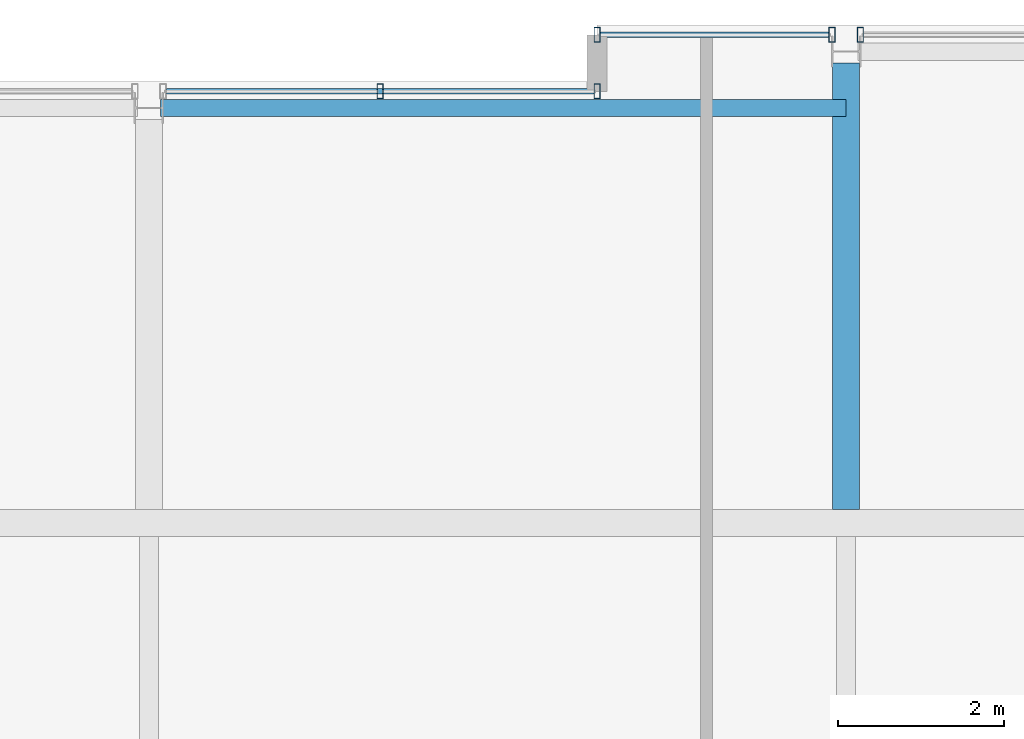
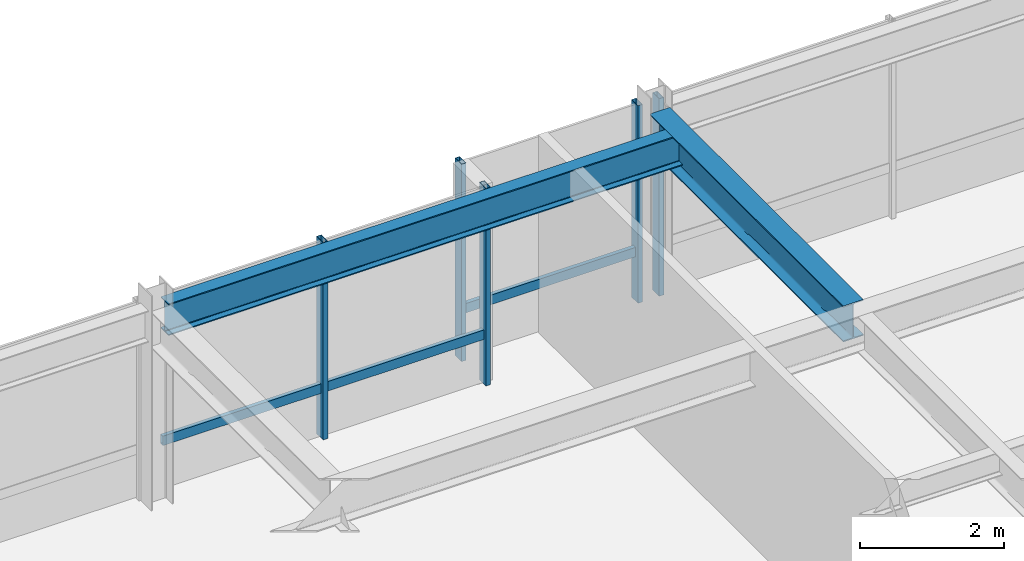
# One storey, part 24 of 34: 7 members, 2 beams, 3 elements without a shape of their own.
"""IFC4 building model written with IfcOpenShell, lengths in metres."""

import ifcopenshell
import ifcopenshell.guid

model = None  # the IFC model being written
_history = None  # IfcOwnerHistory: only IFC2X3 demands one
_inside = {}  # id of a spatial element -> (the spatial element, [elements in it])
_under = {}  # id of a project, library or spatial element -> (it, [spatial elements below it])
_declared = {}  # id of a project -> (the project, [libraries it declares])
_typed = {}  # id of a type object -> (the type object, [elements of that type])
_made_of = {}  # id of a material, layer set ... -> (it, [elements and type objects made of it])


def new_model(schema):
    """Start an empty IFC model of exactly this schema.

    Asked for "IFC4X3", IfcOpenShell would pick the latest addendum, in which some entities
    have other attributes; the version numbers below select the first issue.
    IFC2X3 requires an IfcOwnerHistory on every rooted entity: one is made here for all.
    """
    global model, _history
    if schema == "IFC4X3":
        model = ifcopenshell.file(schema_version=(4, 3, 0, 0))
    else:
        model = ifcopenshell.file(schema=schema)
    _inside.clear()
    _under.clear()
    _declared.clear()
    _typed.clear()
    _made_of.clear()
    _history = None
    if model.schema == "IFC2X3":
        org = make("IfcOrganization", Name="unknown")
        user = make(
            "IfcPersonAndOrganization",
            ThePerson=make("IfcPerson", FamilyName="unknown"),
            TheOrganization=org,
        )
        app = make(
            "IfcApplication",
            ApplicationDeveloper=org,
            Version="unknown",
            ApplicationFullName="unknown",
            ApplicationIdentifier="unknown",
        )
        _history = make(
            "IfcOwnerHistory",
            OwningUser=user,
            OwningApplication=app,
            ChangeAction="ADDED",
            CreationDate=0,
        )
    return model


def make(cls, **values):
    """One entity of the class cls with the attributes given. An attribute that is None is left unset."""
    return model.create_entity(
        cls, **{name: value for name, value in values.items() if value is not None}
    )


def rooted(cls, **values):
    """An entity with a GlobalId (a new one), such as an element, a storey or a relation."""
    return make(cls, GlobalId=ifcopenshell.guid.new(), OwnerHistory=_history, **values)


def si_unit(unit_type, name, prefix=None):
    """IfcSIUnit, for example si_unit("LENGTHUNIT", "METRE", prefix="MILLI")."""
    return make("IfcSIUnit", UnitType=unit_type, Prefix=prefix, Name=name)


def assignment(units):
    """IfcUnitAssignment: the units of a project."""
    return None if units is None else make("IfcUnitAssignment", Units=units)


def point(xyz):
    """IfcCartesianPoint."""
    return None if xyz is None else make("IfcCartesianPoint", Coordinates=xyz)


def direction(xyz):
    """IfcDirection."""
    return None if xyz is None else make("IfcDirection", DirectionRatios=xyz)


def frame(location, z_axis=None, x_axis=None):
    """IfcAxis2Placement3D, a coordinate frame: its origin and axes. An axis left out is left unset."""
    return make(
        "IfcAxis2Placement3D",
        Location=point(location),
        Axis=direction(z_axis),
        RefDirection=direction(x_axis),
    )


def frame_2d(location, x_axis=None):
    """IfcAxis2Placement2D, a coordinate frame in the plane: its origin and x axis."""
    return make(
        "IfcAxis2Placement2D", Location=point(location), RefDirection=direction(x_axis)
    )


def origin():
    """The frame at (0, 0, 0) with its axes left unset."""
    return frame((0.0, 0.0, 0.0))


def origin_2d():
    """The frame at (0, 0) in the plane with its x axis left unset."""
    return frame_2d((0.0, 0.0))


def place(relative_to, where):
    """IfcLocalPlacement: puts the frame where relative to a parent placement (None: the world)."""
    return make(
        "IfcLocalPlacement", PlacementRelTo=relative_to, RelativePlacement=where
    )


def context(
    kind, dimensions, precision=None, world=None, true_north=None, identifier=None
):
    """IfcGeometricRepresentationContext, for example the 3D "Model" context."""
    return make(
        "IfcGeometricRepresentationContext",
        ContextIdentifier=identifier,
        ContextType=kind,
        CoordinateSpaceDimension=dimensions,
        Precision=precision,
        WorldCoordinateSystem=world,
        TrueNorth=true_north,
    )


def subcontext(parent, identifier, kind, view, scale=None):
    """IfcGeometricRepresentationSubContext, for example "Body" below "Model"."""
    return make(
        "IfcGeometricRepresentationSubContext",
        ContextIdentifier=identifier,
        ContextType=kind,
        ParentContext=parent,
        TargetScale=scale,
        TargetView=view,
    )


def project(units=None, contexts=None):
    """IfcProject with its units and contexts."""
    return rooted(
        "IfcProject",
        Name="project",
        RepresentationContexts=contexts,
        UnitsInContext=assignment(units),
    )


def spatial(cls, under=None, at=None, **own):
    """A site, building, storey or space (cls), placed at a placement, below another one or the project."""
    s = rooted(cls, ObjectPlacement=at, **own)
    if under is not None:
        _under.setdefault(under.id(), (under, []))[1].append(s)
    return s


def profile(cls, at=None, kind="AREA", **sizes):
    """A parametric profile (cls). Its sizes go by their IFC names, for example OverallWidth=200.0."""
    return make(cls, ProfileType=kind, Position=at, **sizes)


def hollow_rectangle(**sizes):
    """IfcRectangleHollowProfileDef."""
    return profile("IfcRectangleHollowProfileDef", **sizes)


def i_section(**sizes):
    """IfcIShapeProfileDef."""
    return profile("IfcIShapeProfileDef", **sizes)


def extrude(swept, where, along, depth):
    """IfcExtrudedAreaSolid: the profile swept, set in the frame where, extruded along a direction by depth."""
    return make(
        "IfcExtrudedAreaSolid",
        SweptArea=swept,
        Position=where,
        ExtrudedDirection=direction(along),
        Depth=depth,
    )


def shape(context_of_items, identifier, shape_type, items):
    """IfcShapeRepresentation: the items that make up one representation, for example the "Body"."""
    return make(
        "IfcShapeRepresentation",
        ContextOfItems=context_of_items,
        RepresentationIdentifier=identifier,
        RepresentationType=shape_type,
        Items=items,
    )


def material(Name=None, Category=None):
    """IfcMaterial."""
    return make("IfcMaterial", Name=Name, Category=Category)


def layer(
    of_material, thickness, ventilated=None, Name=None, Category=None, Priority=None
):
    """IfcMaterialLayer: one layer of a wall or slab, of a material (None: an air gap)."""
    return make(
        "IfcMaterialLayer",
        Material=of_material,
        LayerThickness=thickness,
        IsVentilated=ventilated,
        Name=Name,
        Category=Category,
        Priority=Priority,
    )


def layer_set(layers, Name=None):
    """IfcMaterialLayerSet."""
    return make("IfcMaterialLayerSet", MaterialLayers=layers, LayerSetName=Name)


def material_profile(
    of_material, cross_section, Name=None, Category=None, Priority=None
):
    """IfcMaterialProfile: a cross section and its material."""
    return make(
        "IfcMaterialProfile",
        Name=Name,
        Material=of_material,
        Profile=cross_section,
        Priority=Priority,
        Category=Category,
    )


def profile_set(profiles, Name=None, composite=None):
    """IfcMaterialProfileSet."""
    return make(
        "IfcMaterialProfileSet",
        Name=Name,
        MaterialProfiles=profiles,
        CompositeProfile=composite,
    )


def made_of(thing, what):
    """Note that an element or type object is made of a material, layer set ...; save() writes the relation."""
    if what is not None:
        _made_of.setdefault(what.id(), (what, []))[1].append(thing)
    return thing


def type_object(cls, material=None, **own):
    """A type object (cls), such as IfcWallType, which elements share."""
    return made_of(rooted(cls, **own), material)


def element(
    cls,
    number,
    at=None,
    inside=None,
    cuts=None,
    type_object=None,
    material=None,
    context=None,
    identifier="Body",
    shape_type=None,
    held_by="IfcProductDefinitionShape",
    body=None,
    shapes=None,
    **own,
):
    """One element of the class cls, such as IfcWall. Its Tag is "e" and its number.

    at: its placement. inside: the storey or other place that contains it. cuts: it is an
    opening in that element (IfcRelVoidsElement). A single representation is given by context,
    identifier, shape_type and body (its items); several are given by shapes. held_by: the class
    of the entity that holds the representations. save() writes the other relations.
    """
    e = rooted(cls, Tag="e%d" % number, ObjectPlacement=at, **own)
    if body is not None:
        shapes = [shape(context, identifier, shape_type, body)]
    if shapes is not None:
        e.Representation = make(held_by, Representations=shapes)
    if inside is not None:
        _inside.setdefault(inside.id(), (inside, []))[1].append(e)
    if cuts is not None:
        rooted(
            "IfcRelVoidsElement", RelatingBuildingElement=cuts, RelatedOpeningElement=e
        )
    if type_object is not None:
        _typed.setdefault(type_object.id(), (type_object, []))[1].append(e)
    return made_of(e, material)


def aggregate(whole, parts):
    """IfcRelAggregates: a whole, such as a stair, and the parts it consists of."""
    return rooted("IfcRelAggregates", RelatingObject=whole, RelatedObjects=parts)


def save(model, path):
    """Write the relations noted so far, then the file.

    IfcRelAggregates (storeys below a building ...), IfcRelContainedInSpatialStructure (elements
    in a storey), IfcRelDefinesByType, IfcRelAssociatesMaterial and IfcRelDeclares: one each for
    every whole, place, type object, material and project.
    """
    for whole, parts in _under.values():
        aggregate(whole, parts)
    for where, things in _inside.values():
        rooted(
            "IfcRelContainedInSpatialStructure",
            RelatedElements=things,
            RelatingStructure=where,
        )
    for kind, things in _typed.values():
        rooted("IfcRelDefinesByType", RelatedObjects=things, RelatingType=kind)
    for what, things in _made_of.values():
        rooted("IfcRelAssociatesMaterial", RelatedObjects=things, RelatingMaterial=what)
    for by, libraries in _declared.values():
        rooted("IfcRelDeclares", RelatingContext=by, RelatedDefinitions=libraries)
    model.write(path)


model = new_model("IFC4")

# Units and contexts
model_context = context("Model", 3, precision=1e-05, world=origin(), true_north=direction((0.0, 1.0)))
body_context = subcontext(model_context, "Body", "Model", "MODEL_VIEW")
ifc_project = project(units=[si_unit("LENGTHUNIT", "METRE"), si_unit("AREAUNIT", "SQUARE_METRE"), si_unit("VOLUMEUNIT", "CUBIC_METRE"), si_unit("PLANEANGLEUNIT", "RADIAN"), si_unit("MASSUNIT", "GRAM", prefix="KILO")], contexts=[model_context])

# Site, building, storey
site_placement = place(None, origin())
site = spatial("IfcSite", under=ifc_project, at=site_placement, CompositionType="ELEMENT")
building_placement = place(site_placement, origin())
building = spatial("IfcBuilding", under=site, at=building_placement, Name="Drelvath Grand Hotel", CompositionType="ELEMENT")
storey_placement = place(building_placement, frame((0.0, 0.0, 290.550048828125)))
storey = spatial("IfcBuildingStorey", under=building, at=storey_placement, Name="L76", CompositionType="ELEMENT", Elevation=290.550048828125)

# Curtain wall, member
ifc_material_1 = material(Name="Platinum-Mist Anodised Aluminium Frame", Category="aluminium")
ifc_layer = layer(ifc_material_1, 0.199951171875)
ifc_layer_set = layer_set([ifc_layer], Name="Platinum-Mist Anodised Aluminium Frame")
curtain_wall_type = type_object("IfcCurtainWallType", Name="Stick Curtain Wall CW-05 Platinum Mist High-Rise", PredefinedType="NOTDEFINED", material=ifc_layer_set)
curtain_wall_1_placement = place(storey_placement, origin())
curtain_wall_1 = element("IfcCurtainWall", 1, at=curtain_wall_1_placement, inside=storey, type_object=curtain_wall_type, Name="L76 CW-05 Curtain Wall CW05-L76-NM2", PredefinedType="NOTDEFINED")
ifc_material_profile_1 = material_profile(ifc_material_1, hollow_rectangle(XDim=0.06494140625, YDim=0.159912109375, WallThickness=0.00390625, at=origin_2d()), Name="HSS160X65X4")
ifc_profile_set_1 = profile_set([ifc_material_profile_1], Name="Platinum-Mist Anodised Aluminium Frame")
member_type_1 = type_object("IfcMemberType", Name="Curtain Wall Horizontal Transom CW-05 HSS160X65X4", PredefinedType="USERDEFINED", material=ifc_profile_set_1)
member_1_placement = place(storey_placement, frame((0.210205078125, 48.39990234375, 0.83740234375), z_axis=(1.0, 0.0, 0.0), x_axis=(0.0, 1.0, 0.0)))
member_1 = element("IfcMember", 2, at=member_1_placement, type_object=member_type_1, Name="CW05-L76-NM2 Sill Transom", ObjectType="TRANSOM", PredefinedType="USERDEFINED", context=body_context, shape_type="SweptSolid", body=[
    extrude(hollow_rectangle(XDim=0.06494140625, YDim=0.159912109375, WallThickness=0.00390625, at=origin_2d()), origin(), (0.0, 0.0, 1.0), 5.14990234375),
])

curtain_wall_2_placement = place(storey_placement, origin())
curtain_wall_2 = element("IfcCurtainWall", 3, at=curtain_wall_2_placement, inside=storey, type_object=curtain_wall_type, Name="L76 CW-05 Curtain Wall CW05-L76-NE1", PredefinedType="NOTDEFINED")
member_2_placement = place(storey_placement, frame((5.43994140625, 49.080078125, 0.83740234375), z_axis=(1.0, 0.0, 0.0), x_axis=(0.0, 1.0, 0.0)))
member_2 = element("IfcMember", 4, at=member_2_placement, type_object=member_type_1, Name="CW05-L76-NE1 Sill Transom", ObjectType="TRANSOM", PredefinedType="USERDEFINED", context=body_context, shape_type="SweptSolid", body=[
    extrude(hollow_rectangle(XDim=0.06494140625, YDim=0.159912109375, WallThickness=0.00390625, at=origin_2d()), origin(), (0.0, 0.0, 1.0), 2.75),
])

# Member
ifc_material_profile_2 = material_profile(ifc_material_1, hollow_rectangle(XDim=0.074951171875, YDim=0.179931640625, WallThickness=0.0048828125, at=origin_2d()), Name="HSS180X75X5")
ifc_profile_set_2 = profile_set([ifc_material_profile_2], Name="Platinum-Mist Anodised Aluminium Frame")
member_type_2 = type_object("IfcMemberType", Name="Curtain Wall Vertical Mullion CW-05 HSS180X75X5", PredefinedType="MULLION", material=ifc_profile_set_2)
member_3_placement = place(storey_placement, frame((2.78515625, 48.39990234375, 0.0), z_axis=(0.0, 0.0, 1.0), x_axis=(1.0, 0.0, 0.0)))
member_3 = element("IfcMember", 5, at=member_3_placement, type_object=member_type_2, Name="CW05-L76-NM2 Mullion 2", PredefinedType="MULLION", context=body_context, shape_type="SweptSolid", body=[
    extrude(hollow_rectangle(XDim=0.074951171875, YDim=0.179931640625, WallThickness=0.0048828125, at=origin_2d()), origin(), (0.0, 0.0, 1.0), 3.349853515625),
])

member_4_placement = place(storey_placement, frame((5.39990234375, 48.39990234375, 0.0), z_axis=(0.0, 0.0, 1.0), x_axis=(1.0, 0.0, 0.0)))
member_4 = element("IfcMember", 6, at=member_4_placement, type_object=member_type_2, Name="CW05-L76-NM2 Mullion 3", PredefinedType="MULLION", context=body_context, shape_type="SweptSolid", body=[
    extrude(hollow_rectangle(XDim=0.074951171875, YDim=0.179931640625, WallThickness=0.0048828125, at=origin_2d()), origin(), (0.0, 0.0, 1.0), 3.349853515625),
])

aggregate(curtain_wall_1, [member_3, member_4, member_1])

member_5_placement = place(storey_placement, frame((5.39990234375, 49.080078125, 0.0), z_axis=(0.0, 0.0, 1.0), x_axis=(1.0, 0.0, 0.0)))
member_5 = element("IfcMember", 7, at=member_5_placement, type_object=member_type_2, Name="CW05-L76-NE1 Mullion 1", PredefinedType="MULLION", context=body_context, shape_type="SweptSolid", body=[
    extrude(hollow_rectangle(XDim=0.074951171875, YDim=0.179931640625, WallThickness=0.0048828125, at=origin_2d()), origin(), (0.0, 0.0, 1.0), 3.349853515625),
])

member_6_placement = place(storey_placement, frame((8.22998046875, 49.080078125, 0.0), z_axis=(0.0, 0.0, 1.0), x_axis=(1.0, 0.0, 0.0)))
member_6 = element("IfcMember", 8, at=member_6_placement, type_object=member_type_2, Name="CW05-L76-NE1 Mullion 2", PredefinedType="MULLION", context=body_context, shape_type="SweptSolid", body=[
    extrude(hollow_rectangle(XDim=0.074951171875, YDim=0.179931640625, WallThickness=0.0048828125, at=origin_2d()), origin(), (0.0, 0.0, 1.0), 3.349853515625),
])

aggregate(curtain_wall_2, [member_5, member_6, member_2])

# Curtain wall, member
curtain_wall_3_placement = place(storey_placement, origin())
curtain_wall_3 = element("IfcCurtainWall", 9, at=curtain_wall_3_placement, inside=storey, type_object=curtain_wall_type, Name="L76 CW-05 Curtain Wall CW05-L76-NE2", PredefinedType="NOTDEFINED")
member_7_placement = place(storey_placement, frame((8.570068359375, 49.080078125, 0.0), z_axis=(0.0, 0.0, 1.0), x_axis=(1.0, 0.0, 0.0)))
member_7 = element("IfcMember", 10, at=member_7_placement, type_object=member_type_2, Name="CW05-L76-NE2 Mullion 1", PredefinedType="MULLION", context=body_context, shape_type="SweptSolid", body=[
    extrude(hollow_rectangle(XDim=0.074951171875, YDim=0.179931640625, WallThickness=0.0048828125, at=origin_2d()), origin(), (0.0, 0.0, 1.0), 3.349853515625),
])
aggregate(curtain_wall_3, [member_7])

# Beams
ifc_material_2 = material(Name="Steel ASTM A992 Gr 50", Category="steel")
ifc_material_profile_3 = material_profile(ifc_material_2, i_section(OverallWidth=0.210205078125, OverallDepth=0.53662109375, WebThickness=0.010986328125, FlangeThickness=0.017333984375, FilletRadius=0.01806640625, at=origin_2d()), Name="W21X68")
ifc_profile_set_3 = profile_set([ifc_material_profile_3], Name="Steel ASTM A992 Gr 50")
beam_type_1 = type_object("IfcBeamType", Name="Perimeter Spandrel Beam W21X68", PredefinedType="SPANDREL", material=ifc_profile_set_3)
beam_1_placement = place(storey_placement, frame((0.139892578125, 48.199951171875, 3.08154296875), z_axis=(1.0, 0.0, 0.0), x_axis=(0.0, 1.0, 0.0)))
element("IfcBeam", 11, at=beam_1_placement, inside=storey, type_object=beam_type_1, Name="L76 Spandrel North Mid E", PredefinedType="SPANDREL", context=body_context, shape_type="SweptSolid", body=[
    extrude(i_section(OverallWidth=0.210205078125, OverallDepth=0.53662109375, WebThickness=0.010986328125, FlangeThickness=0.017333984375, FilletRadius=0.01806640625, at=origin_2d()), origin(), (0.0, 0.0, 1.0), 8.260009765625),
])
ifc_material_profile_4 = material_profile(ifc_material_2, i_section(OverallWidth=0.323974609375, OverallDepth=0.611083984375, WebThickness=0.0126953125, FlangeThickness=0.01904296875, FilletRadius=0.02197265625, at=origin_2d()), Name="W24X104")
ifc_profile_set_4 = profile_set([ifc_material_profile_4], Name="Steel ASTM A992 Gr 50")
beam_type_2 = type_object("IfcBeamType", Name="Primary Floor Girder W24X104", PredefinedType="BEAM", material=ifc_profile_set_4)
beam_2_placement = place(storey_placement, frame((8.39990234375, 43.362060546875, 3.04443359375), z_axis=(0.0, 1.0, 0.0), x_axis=(-1.0, 0.0, 0.0)))
element("IfcBeam", 12, at=beam_2_placement, inside=storey, type_object=beam_type_2, Name="L76 North Wing Girder 6", PredefinedType="BEAM", context=body_context, shape_type="SweptSolid", body=[
    extrude(i_section(OverallWidth=0.323974609375, OverallDepth=0.611083984375, WebThickness=0.0126953125, FlangeThickness=0.01904296875, FilletRadius=0.02197265625, at=origin_2d()), origin(), (0.0, 0.0, 1.0), 5.3779296875),
])

save(model, "model.ifc")
